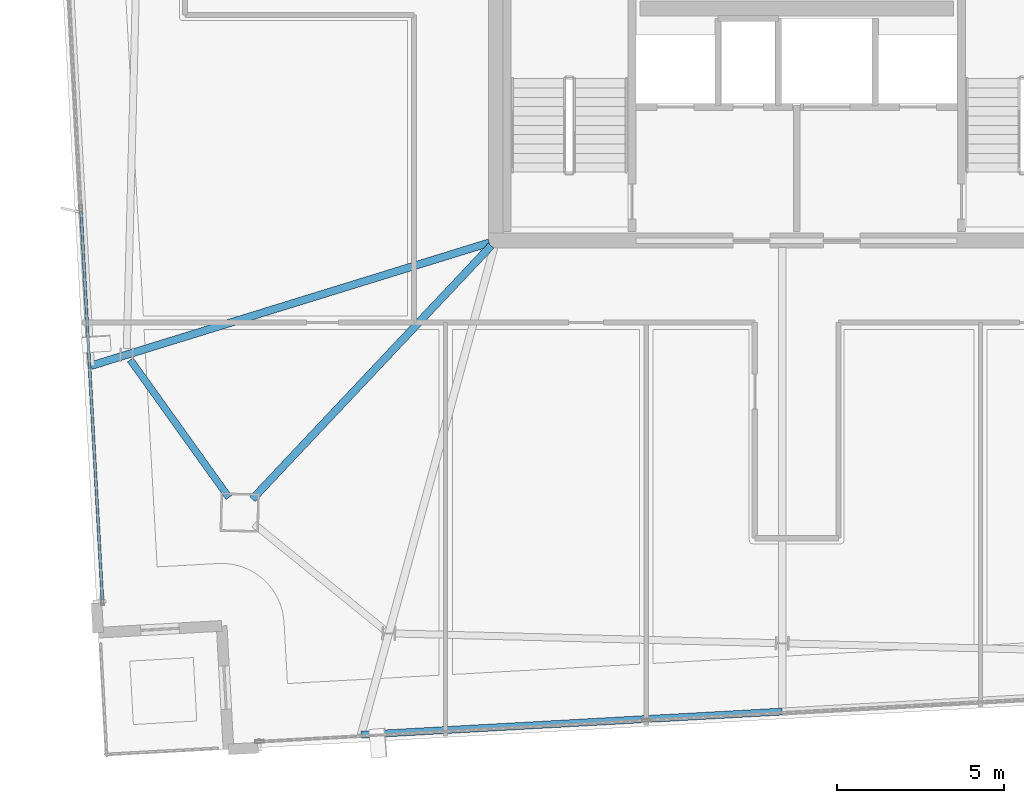
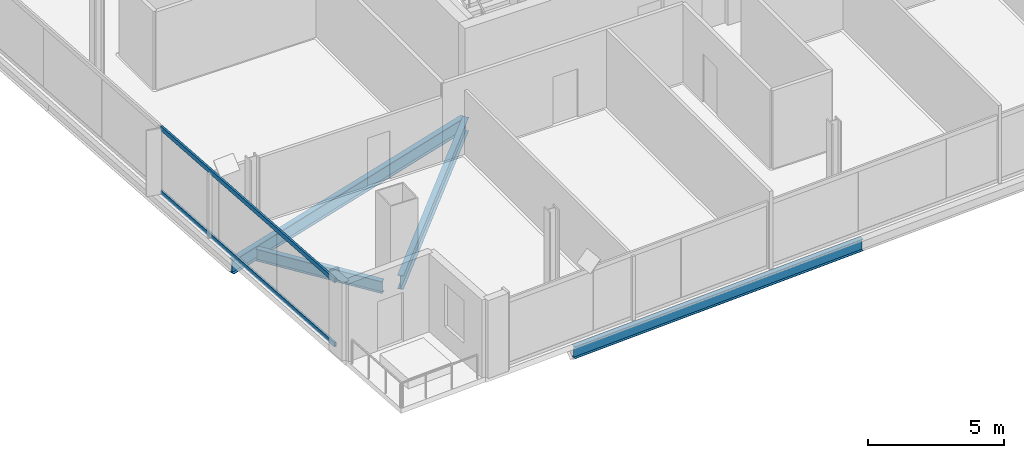
# One storey, part 3 of 23: 4 beams, 2 members, 1 element without a shape of its own.
"""IFC4 building model written with IfcOpenShell, lengths in metres."""

from ifc_helpers import new_model, si_unit, direction, frame, origin, origin_2d, place, context, subcontext, project, spatial, hollow_rectangle, i_section, extrude, material, material_profile, profile_set, type_object, element, aggregate, save


model = new_model("IFC4")

# Units and contexts
model_context = context("Model", 3, precision=1e-05, world=origin(), true_north=direction((0.0, 1.0)))
body_context = subcontext(model_context, "Body", "Model", "MODEL_VIEW")
ifc_project = project(units=[si_unit("LENGTHUNIT", "METRE"), si_unit("AREAUNIT", "SQUARE_METRE"), si_unit("VOLUMEUNIT", "CUBIC_METRE"), si_unit("PLANEANGLEUNIT", "RADIAN"), si_unit("MASSUNIT", "GRAM", prefix="KILO")], contexts=[model_context])

# Site, building, storey
site_placement = place(None, origin())
site = spatial("IfcSite", under=ifc_project, at=site_placement, CompositionType="ELEMENT")
building_placement = place(site_placement, origin())
building = spatial("IfcBuilding", under=site, at=building_placement, Name="Haldenkirk Collegiate Tower", CompositionType="ELEMENT")
storey_placement = place(building_placement, frame((0.0, 0.0, 340.199951171875)))
storey = spatial("IfcBuildingStorey", under=building, at=storey_placement, Name="L86", CompositionType="ELEMENT", Elevation=340.199951171875)

# Beams
ifc_material_1 = material(Name="Steel ASTM A992 Grade 50", Category="steel")
ifc_material_profile_1 = material_profile(ifc_material_1, i_section(OverallWidth=0.22998046875, OverallDepth=0.616943359375, WebThickness=0.01318359375, FlangeThickness=0.022216796875, at=origin_2d()), Name="W24X94")
ifc_profile_set_1 = profile_set([ifc_material_profile_1], Name="Steel ASTM A992 Grade 50")
beam_type_1 = type_object("IfcBeamType", Name="BM-GIRDER-W24X94", PredefinedType="BEAM", material=ifc_profile_set_1)
beam_1_placement = place(storey_placement, frame((19.717041015625, 10.2705078125, -0.568359375), z_axis=(0.685767478835, 0.72782069562, 0.0), x_axis=(-0.72782069562, 0.685767478835, 0.0)))
element("IfcBeam", 1, at=beam_1_placement, inside=storey, type_object=beam_type_1, Name="L86 primary floor girder 04", PredefinedType="BEAM", context=body_context, shape_type="SweptSolid", body=[
    extrude(i_section(OverallWidth=0.22998046875, OverallDepth=0.616943359375, WebThickness=0.01318359375, FlangeThickness=0.022216796875, at=origin_2d()), origin(), (0.0, 0.0, 1.0), 10.4150390625),
])
beam_2_placement = place(storey_placement, frame((14.88330078125, 14.256591796875, -0.568359375), z_axis=(0.9554428831, 0.29517604431, 0.0), x_axis=(-0.29517604431, 0.9554428831, 0.0)))
element("IfcBeam", 2, at=beam_2_placement, inside=storey, type_object=beam_type_1, Name="L86 primary floor girder 13", PredefinedType="BEAM", context=body_context, shape_type="SweptSolid", body=[
    extrude(i_section(OverallWidth=0.22998046875, OverallDepth=0.616943359375, WebThickness=0.01318359375, FlangeThickness=0.022216796875, at=origin_2d()), origin(), (0.0, 0.0, 1.0), 12.476806640625),
])
ifc_material_profile_2 = material_profile(ifc_material_1, i_section(OverallWidth=0.2099609375, OverallDepth=0.537109375, WebThickness=0.010986328125, FlangeThickness=0.017333984375, at=origin_2d()), Name="W21X68")
ifc_profile_set_2 = profile_set([ifc_material_profile_2], Name="Steel ASTM A992 Grade 50")
beam_type_2 = type_object("IfcBeamType", Name="BM-SPANDREL-W21X68", PredefinedType="SPANDREL", material=ifc_profile_set_2)
beam_3_placement = place(storey_placement, frame((16.064208984375, 14.434814453125, -0.528564453125), z_axis=(0.582300220922, -0.812973832737, 0.0), x_axis=(0.812973832737, 0.582300220922, 0.0)))
element("IfcBeam", 3, at=beam_3_placement, inside=storey, type_object=beam_type_2, Name="L86 perimeter spandrel beam 12", PredefinedType="SPANDREL", context=body_context, shape_type="SweptSolid", body=[
    extrude(i_section(OverallWidth=0.2099609375, OverallDepth=0.537109375, WebThickness=0.010986328125, FlangeThickness=0.017333984375, at=origin_2d()), origin(), (0.0, 0.0, 1.0), 5.064453125),
])
beam_4_placement = place(storey_placement, frame((22.96923828125, 3.219482421875, -0.528564453125), z_axis=(0.998488975277, 0.054952399856, 0.0), x_axis=(-0.054952399856, 0.998488975277, 0.0)))
element("IfcBeam", 4, at=beam_4_placement, inside=storey, type_object=beam_type_2, Name="L86 outer facade edge beam 4A", PredefinedType="SPANDREL", context=body_context, shape_type="SweptSolid", body=[
    extrude(i_section(OverallWidth=0.2099609375, OverallDepth=0.537109375, WebThickness=0.010986328125, FlangeThickness=0.017333984375, at=origin_2d()), origin(), (0.0, 0.0, 1.0), 12.617431640625),
])

# Curtain wall, members
ifc_material_2 = material(Name="Anodised architectural bronze aluminium", Category="aluminium")
curtain_wall_type = type_object("IfcCurtainWallType", Name="CW-SYS1B-CONVEX-HI", PredefinedType="USERDEFINED", material=ifc_material_2)
curtain_wall_placement = place(storey_placement, origin())
curtain_wall = element("IfcCurtainWall", 5, at=curtain_wall_placement, inside=storey, type_object=curtain_wall_type, Name="L86 Upper tower high-wind convex bronze unitised curtain wall", ObjectType="UNITISED CURTAIN WALL", PredefinedType="USERDEFINED")
ifc_material_profile_3 = material_profile(ifc_material_2, hollow_rectangle(XDim=0.0849609375, YDim=0.199951171875, WallThickness=0.0048828125, at=origin_2d()), Name="CW-TRN-1B")
ifc_profile_set_3 = profile_set([ifc_material_profile_3], Name="Anodised architectural bronze aluminium")
member_type = type_object("IfcMemberType", Name="CW-TRN-1B", PredefinedType="USERDEFINED", material=ifc_profile_set_3)
member_1_placement = place(storey_placement, frame((15.22802734375, 7.265380859375, 0.04248046875), z_axis=(-0.054956525363, 0.998488748219, 0.0), x_axis=(-0.998488748219, -0.054956525363, 0.0)))
member_1 = element("IfcMember", 6, at=member_1_placement, type_object=member_type, Name="CW-1B transom 1.1", ObjectType="TRANSOM", PredefinedType="USERDEFINED", context=body_context, shape_type="SweptSolid", body=[
    extrude(hollow_rectangle(XDim=0.0849609375, YDim=0.199951171875, WallThickness=0.0048828125, at=origin_2d()), origin(), (0.0, 0.0, 1.0), 11.63916015625),
])
member_2_placement = place(storey_placement, frame((15.22802734375, 7.265380859375, 2.905517578125), z_axis=(-0.054956525363, 0.998488748219, 0.0), x_axis=(-0.998488748219, -0.054956525363, 0.0)))
member_2 = element("IfcMember", 7, at=member_2_placement, type_object=member_type, Name="CW-1B transom 1.2", ObjectType="TRANSOM", PredefinedType="USERDEFINED", context=body_context, shape_type="SweptSolid", body=[
    extrude(hollow_rectangle(XDim=0.0849609375, YDim=0.199951171875, WallThickness=0.0048828125, at=origin_2d()), origin(), (0.0, 0.0, 1.0), 11.63916015625),
])
aggregate(curtain_wall, [member_1, member_2])

save(model, "model.ifc")
